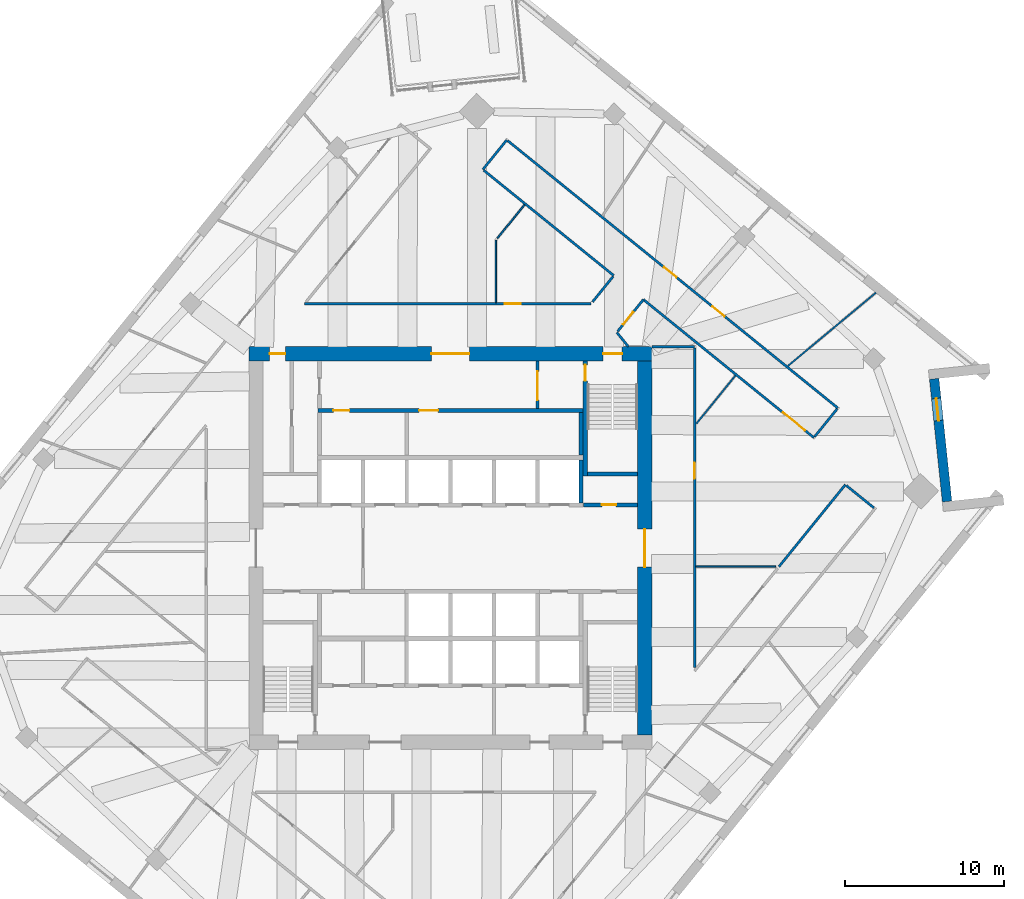
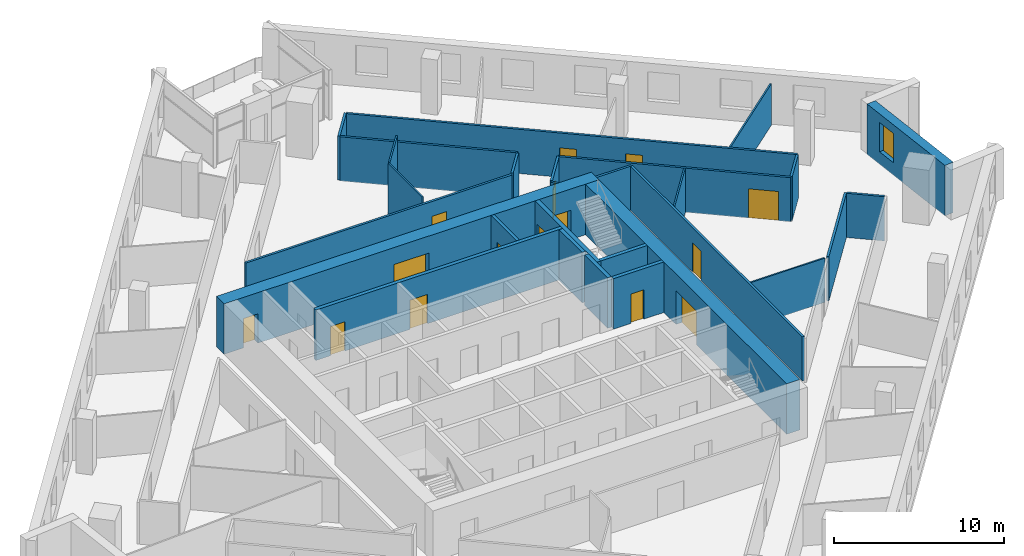
# One storey, part 11 of 14: 28 walls, 15 doors, 1 window, 16 openings.
"""IFC4 building model written with IfcOpenShell, lengths in metres."""

from ifc_helpers import new_model, si_unit, direction, frame, frame_2d, origin, place, context, subcontext, project, spatial, rectangle, extrude, material, layer, layer_set, type_object, element, fill, save


model = new_model("IFC4")

# Units and contexts
model_context = context("Model", 3, precision=1e-05, world=origin(), true_north=direction((0.0, 1.0)))
body_context = subcontext(model_context, "Body", "Model", "MODEL_VIEW")
ifc_project = project(units=[si_unit("LENGTHUNIT", "METRE"), si_unit("AREAUNIT", "SQUARE_METRE"), si_unit("VOLUMEUNIT", "CUBIC_METRE"), si_unit("PLANEANGLEUNIT", "RADIAN"), si_unit("MASSUNIT", "GRAM", prefix="KILO")], contexts=[model_context])

# Site, building, storey
site_placement = place(None, origin())
site = spatial("IfcSite", under=ifc_project, at=site_placement, CompositionType="ELEMENT")
building_placement = place(site_placement, origin())
building = spatial("IfcBuilding", under=site, at=building_placement, Name="Dilmun Exchange Tower", CompositionType="ELEMENT")
storey_placement = place(building_placement, frame((0.0, 0.0, 229.300048828125)))
storey = spatial("IfcBuildingStorey", under=building, at=storey_placement, Name="L54", CompositionType="ELEMENT", Elevation=229.300048828125)

# Wall, opening, door
ifc_material_1 = material(Name="Concrete C40/50", Category="concrete")
ifc_layer_1 = layer(ifc_material_1, 0.199951171875)
ifc_layer_set_1 = layer_set([ifc_layer_1], Name="Concrete C40/50")
wall_type_1 = type_object("IfcWallType", Name="Core partition wall 200", PredefinedType="PARTITIONING", material=ifc_layer_set_1)
wall_1_placement = place(storey_placement, frame((5.5, 8.804931640625, 0.0), z_axis=(0.0, 0.0, 1.0), x_axis=(0.0, 1.0, 0.0)))
wall_1 = element("IfcWall", 1, at=wall_1_placement, inside=storey, type_object=wall_type_1, Name="L54 core partition wall 20", PredefinedType="PARTITIONING", context=body_context, shape_type="SweptSolid", body=[
    extrude(rectangle(XDim=2.989990234375, YDim=0.199951171875, at=frame_2d((1.4951171875, 0.0))), origin(), (0.0, 0.0, 1.0), 3.619873046875),
])
opening_1_placement = place(wall_1_placement, frame((0.532470703125, 0.0, 0.0)))
opening_1 = element("IfcOpeningElement", 2, at=opening_1_placement, cuts=wall_1, Name="Opening CD5", PredefinedType="OPENING", context=body_context, shape_type="SweptSolid", body=[
    extrude(rectangle(XDim=1.800048828125, YDim=2.10009765625, at=frame_2d((0.89990234375, 1.050048828125))), frame((0.0, 0.10986328125, 0.0), z_axis=(0.0, -1.0, 0.0), x_axis=(1.0, 0.0, 0.0)), (0.0, 0.0, 1.0), 0.219970703125),
])
ifc_material_2 = material(Name="Fire-rated steel door set", Category="steel")
door_type_1 = type_object("IfcDoorType", Name="Stair exit door 1800x2100", OperationType="SINGLE_SWING_LEFT", PredefinedType="DOOR", material=ifc_material_2)
door_1_placement = place(opening_1_placement, origin())
door_1 = element("IfcDoor", 3, at=door_1_placement, inside=storey, type_object=door_type_1, Name="L54 door Core corridor east", OperationType="SINGLE_SWING_LEFT", OverallHeight=2.10009765625, OverallWidth=1.800048828125, PredefinedType="DOOR", context=body_context, shape_type="SweptSolid", body=[
    extrude(rectangle(XDim=1.800048828125, YDim=2.10009765625, at=frame_2d((0.89990234375, 1.050048828125))), frame((0.0, 0.02490234375, 0.0), z_axis=(0.0, -1.0, 0.0), x_axis=(1.0, 0.0, 0.0)), (0.0, 0.0, 1.0), 0.050048828125),
])
fill(opening_1, door_1)

ifc_layer_2 = layer(ifc_material_1, 0.25)
ifc_layer_set_2 = layer_set([ifc_layer_2], Name="Concrete C40/50")
wall_type_2 = type_object("IfcWallType", Name="Core partition wall 250", PredefinedType="PARTITIONING", material=ifc_layer_set_2)
wall_2_placement = place(storey_placement, frame((8.3798828125, 2.72509765625, 0.0), z_axis=(0.0, 0.0, 1.0), x_axis=(1.0, 0.0, 0.0)))
wall_2 = element("IfcWall", 4, at=wall_2_placement, inside=storey, type_object=wall_type_2, Name="L54 core partition wall 12", PredefinedType="PARTITIONING", context=body_context, shape_type="SweptSolid", body=[
    extrude(rectangle(XDim=3.4150390625, YDim=0.25, at=frame_2d((1.70751953125, 0.0))), origin(), (0.0, 0.0, 1.0), 3.619873046875),
])
opening_2_placement = place(wall_2_placement, frame((1.169921875, 0.0, 0.0)))
opening_2 = element("IfcOpeningElement", 5, at=opening_2_placement, cuts=wall_2, Name="Opening CD6", PredefinedType="OPENING", context=body_context, shape_type="SweptSolid", body=[
    extrude(rectangle(XDim=0.89990234375, YDim=2.10009765625, at=frame_2d((0.449951171875, 1.050048828125))), frame((0.0, 0.135009765625, 0.0), z_axis=(0.0, -1.0, 0.0), x_axis=(1.0, 0.0, 0.0)), (0.0, 0.0, 1.0), 0.27001953125),
])
door_type_2 = type_object("IfcDoorType", Name="Core room door 900x2100", OperationType="SINGLE_SWING_LEFT", PredefinedType="DOOR", material=ifc_material_2)
door_2_placement = place(opening_2_placement, origin())
door_2 = element("IfcDoor", 6, at=door_2_placement, inside=storey, type_object=door_type_2, Name="L54 door Electrical riser", OperationType="SINGLE_SWING_LEFT", OverallHeight=2.10009765625, OverallWidth=0.89990234375, PredefinedType="DOOR", context=body_context, shape_type="SweptSolid", body=[
    extrude(rectangle(XDim=0.89990234375, YDim=2.10009765625, at=frame_2d((0.449951171875, 1.050048828125))), frame((0.0, 0.02490234375, 0.0), z_axis=(0.0, -1.0, 0.0), x_axis=(1.0, 0.0, 0.0)), (0.0, 0.0, 1.0), 0.050048828125),
])
fill(opening_2, door_2)

# Wall
wall_3_placement = place(storey_placement, frame((8.25, 5.85498046875, 0.0), z_axis=(0.0, 0.0, 1.0), x_axis=(0.0, 1.0, 0.0)))
element("IfcWall", 7, at=wall_3_placement, inside=storey, type_object=wall_type_2, Name="L54 core partition wall 17", PredefinedType="PARTITIONING", context=body_context, shape_type="SweptSolid", body=[
    extrude(rectangle(XDim=2.68994140625, YDim=0.25, at=frame_2d((1.344970703125, 0.0))), origin(), (0.0, 0.0, 1.0), 3.619873046875),
])

# Wall, openings, doors
wall_4_placement = place(storey_placement, frame((-8.35009765625, 8.675048828125, 0.0), z_axis=(0.0, 0.0, 1.0), x_axis=(1.0, 0.0, 0.0)))
wall_4 = element("IfcWall", 8, at=wall_4_placement, inside=storey, type_object=wall_type_2, Name="L54 core partition wall 18", PredefinedType="PARTITIONING", context=body_context, shape_type="SweptSolid", body=[
    extrude(rectangle(XDim=16.72021484375, YDim=0.25, at=frame_2d((8.360107421875, 0.0))), origin(), (0.0, 0.0, 1.0), 3.619873046875),
])
opening_3_placement = place(wall_4_placement, frame((0.97509765625, 0.0, 0.0)))
opening_3 = element("IfcOpeningElement", 9, at=opening_3_placement, cuts=wall_4, Name="Opening CD4", PredefinedType="OPENING", context=body_context, shape_type="SweptSolid", body=[
    extrude(rectangle(XDim=1.0, YDim=2.10009765625, at=frame_2d((0.5, 1.050048828125))), frame((0.0, 0.135009765625, 0.0), z_axis=(0.0, -1.0, 0.0), x_axis=(1.0, 0.0, 0.0)), (0.0, 0.0, 1.0), 0.27001953125),
])
opening_4_placement = place(wall_4_placement, frame((6.375, 0.0, 0.0)))
opening_4 = element("IfcOpeningElement", 10, at=opening_4_placement, cuts=wall_4, Name="Opening CD3", PredefinedType="OPENING", context=body_context, shape_type="SweptSolid", body=[
    extrude(rectangle(XDim=1.199951171875, YDim=2.10009765625, at=frame_2d((0.60009765625, 1.050048828125))), frame((0.0, 0.135009765625, 0.0), z_axis=(0.0, -1.0, 0.0), x_axis=(1.0, 0.0, 0.0)), (0.0, 0.0, 1.0), 0.27001953125),
])
door_type_3 = type_object("IfcDoorType", Name="Core room door 1000x2100", OperationType="SINGLE_SWING_LEFT", PredefinedType="DOOR", material=ifc_material_2)
door_3_placement = place(opening_3_placement, origin())
door_3 = element("IfcDoor", 11, at=door_3_placement, inside=storey, type_object=door_type_3, Name="L54 door Tenant services room", OperationType="SINGLE_SWING_LEFT", OverallHeight=2.10009765625, OverallWidth=1.0, PredefinedType="DOOR", context=body_context, shape_type="SweptSolid", body=[
    extrude(rectangle(XDim=1.0, YDim=2.10009765625, at=frame_2d((0.5, 1.050048828125))), frame((0.0, 0.02490234375, 0.0), z_axis=(0.0, -1.0, 0.0), x_axis=(1.0, 0.0, 0.0)), (0.0, 0.0, 1.0), 0.050048828125),
])
fill(opening_3, door_3)
door_type_4 = type_object("IfcDoorType", Name="Stair exit door 1200x2100", OperationType="SINGLE_SWING_LEFT", PredefinedType="DOOR", material=ifc_material_2)
door_4_placement = place(opening_4_placement, origin())
door_4 = element("IfcDoor", 12, at=door_4_placement, inside=storey, type_object=door_type_4, Name="L54 door Tenant amenity store", OperationType="SINGLE_SWING_LEFT", OverallHeight=2.10009765625, OverallWidth=1.199951171875, PredefinedType="DOOR", context=body_context, shape_type="SweptSolid", body=[
    extrude(rectangle(XDim=1.199951171875, YDim=2.10009765625, at=frame_2d((0.60009765625, 1.050048828125))), frame((0.0, 0.02490234375, 0.0), z_axis=(0.0, -1.0, 0.0), x_axis=(1.0, 0.0, 0.0)), (0.0, 0.0, 1.0), 0.050048828125),
])
fill(opening_4, door_4)

ifc_material_3 = material(Name="Concrete C60/75", Category="concrete")
ifc_layer_3 = layer(ifc_material_3, 0.89990234375)
ifc_layer_set_3 = layer_set([ifc_layer_3], Name="Concrete C60/75")
wall_type_3 = type_object("IfcWallType", Name="Core shear wall 900 Concrete C60/75", PredefinedType="SHEAR", material=ifc_layer_set_3)
wall_5_placement = place(storey_placement, frame((-12.699951171875, 12.25, 0.0), z_axis=(0.0, 0.0, 1.0), x_axis=(1.0, 0.0, 0.0)))
wall_5 = element("IfcWall", 13, at=wall_5_placement, inside=storey, type_object=wall_type_3, Name="L54 core shear wall N", PredefinedType="SHEAR", context=body_context, shape_type="SweptSolid", body=[
    extrude(rectangle(XDim=25.39990234375, YDim=0.89990234375, at=frame_2d((12.699951171875, 0.0))), origin(), (0.0, 0.0, 1.0), 3.619873046875),
])
opening_5_placement = place(wall_5_placement, frame((11.5, 0.0, 0.0)))
opening_5 = element("IfcOpeningElement", 14, at=opening_5_placement, cuts=wall_5, Name="Opening CD1", PredefinedType="OPENING", context=body_context, shape_type="SweptSolid", body=[
    extrude(rectangle(XDim=2.39990234375, YDim=2.39990234375, at=frame_2d((1.199951171875, 1.199951171875))), frame((0.0, 0.4599609375, 0.0), z_axis=(0.0, -1.0, 0.0), x_axis=(1.0, 0.0, 0.0)), (0.0, 0.0, 1.0), 0.919921875),
])
opening_6_placement = place(wall_5_placement, frame((22.324951171875, 0.0, 0.0)))
opening_6 = element("IfcOpeningElement", 15, at=opening_6_placement, cuts=wall_5, Name="Opening CD3", PredefinedType="OPENING", context=body_context, shape_type="SweptSolid", body=[
    extrude(rectangle(XDim=1.199951171875, YDim=2.10009765625, at=frame_2d((0.60009765625, 1.050048828125))), frame((0.0, 0.4599609375, 0.0), z_axis=(0.0, -1.0, 0.0), x_axis=(1.0, 0.0, 0.0)), (0.0, 0.0, 1.0), 0.919921875),
])
opening_7_placement = place(wall_5_placement, frame((1.300048828125, 0.0, 0.0)))
opening_7 = element("IfcOpeningElement", 16, at=opening_7_placement, cuts=wall_5, Name="Opening CD4", PredefinedType="OPENING", context=body_context, shape_type="SweptSolid", body=[
    extrude(rectangle(XDim=1.0, YDim=2.10009765625, at=frame_2d((0.5, 1.050048828125))), frame((0.0, 0.4599609375, 0.0), z_axis=(0.0, -1.0, 0.0), x_axis=(1.0, 0.0, 0.0)), (0.0, 0.0, 1.0), 0.919921875),
])
door_type_5 = type_object("IfcDoorType", Name="Core lobby door 2400x2400", OperationType="DOUBLE_DOOR_DOUBLE_SWING", PredefinedType="DOOR", material=ifc_material_2)
door_5_placement = place(opening_5_placement, origin())
door_5 = element("IfcDoor", 17, at=door_5_placement, inside=storey, type_object=door_type_5, Name="L54 door North lift lobby", OperationType="SINGLE_SWING_LEFT", OverallHeight=2.39990234375, OverallWidth=2.39990234375, PredefinedType="DOOR", context=body_context, shape_type="SweptSolid", body=[
    extrude(rectangle(XDim=2.39990234375, YDim=2.39990234375, at=frame_2d((1.199951171875, 1.199951171875))), frame((0.0, 0.02490234375, 0.0), z_axis=(0.0, -1.0, 0.0), x_axis=(1.0, 0.0, 0.0)), (0.0, 0.0, 1.0), 0.050048828125),
])
fill(opening_5, door_5)
door_6_placement = place(opening_7_placement, origin())
door_6 = element("IfcDoor", 18, at=door_6_placement, inside=storey, type_object=door_type_3, Name="L54 door North-west core rooms", OperationType="SINGLE_SWING_LEFT", OverallHeight=2.10009765625, OverallWidth=1.0, PredefinedType="DOOR", context=body_context, shape_type="SweptSolid", body=[
    extrude(rectangle(XDim=1.0, YDim=2.10009765625, at=frame_2d((0.5, 1.050048828125))), frame((0.0, 0.02490234375, 0.0), z_axis=(0.0, -1.0, 0.0), x_axis=(1.0, 0.0, 0.0)), (0.0, 0.0, 1.0), 0.050048828125),
])
fill(opening_7, door_6)
door_7_placement = place(opening_6_placement, origin())
door_7 = element("IfcDoor", 19, at=door_7_placement, inside=storey, type_object=door_type_4, Name="L54 door Stair ST1", OperationType="SINGLE_SWING_LEFT", OverallHeight=2.10009765625, OverallWidth=1.199951171875, PredefinedType="DOOR", context=body_context, shape_type="SweptSolid", body=[
    extrude(rectangle(XDim=1.199951171875, YDim=2.10009765625, at=frame_2d((0.60009765625, 1.050048828125))), frame((0.0, 0.02490234375, 0.0), z_axis=(0.0, -1.0, 0.0), x_axis=(1.0, 0.0, 0.0)), (0.0, 0.0, 1.0), 0.050048828125),
])
fill(opening_6, door_7)

# Wall, opening, door
wall_6_placement = place(storey_placement, frame((12.25, -11.800048828125, 0.0), z_axis=(0.0, 0.0, 1.0), x_axis=(0.0, 1.0, 0.0)))
wall_6 = element("IfcWall", 20, at=wall_6_placement, inside=storey, type_object=wall_type_3, Name="L54 core shear wall E", PredefinedType="SHEAR", context=body_context, shape_type="SweptSolid", body=[
    extrude(rectangle(XDim=23.60009765625, YDim=0.89990234375, at=frame_2d((11.800048828125, 0.0))), origin(), (0.0, 0.0, 1.0), 3.619873046875),
])
opening_8_placement = place(wall_6_placement, frame((10.60009765625, 0.0, 0.0)))
opening_8 = element("IfcOpeningElement", 21, at=opening_8_placement, cuts=wall_6, Name="Opening CD1", PredefinedType="OPENING", context=body_context, shape_type="SweptSolid", body=[
    extrude(rectangle(XDim=2.39990234375, YDim=2.39990234375, at=frame_2d((1.199951171875, 1.199951171875))), frame((0.0, 0.4599609375, 0.0), z_axis=(0.0, -1.0, 0.0), x_axis=(1.0, 0.0, 0.0)), (0.0, 0.0, 1.0), 0.919921875),
])
door_8_placement = place(opening_8_placement, origin())
door_8 = element("IfcDoor", 22, at=door_8_placement, inside=storey, type_object=door_type_5, Name="L54 door Central lift lobby", OperationType="SINGLE_SWING_LEFT", OverallHeight=2.39990234375, OverallWidth=2.39990234375, PredefinedType="DOOR", context=body_context, shape_type="SweptSolid", body=[
    extrude(rectangle(XDim=2.39990234375, YDim=2.39990234375, at=frame_2d((1.199951171875, 1.199951171875))), frame((0.0, 0.02490234375, 0.0), z_axis=(0.0, -1.0, 0.0), x_axis=(1.0, 0.0, 0.0)), (0.0, 0.0, 1.0), 0.050048828125),
])
fill(opening_8, door_8)

ifc_material_4 = material(Name="Corridor wall 150")
ifc_layer_4 = layer(ifc_material_4, 0.14990234375)
ifc_layer_set_4 = layer_set([ifc_layer_4], Name="Corridor wall 150")
wall_type_4 = type_object("IfcWallType", Name="Corridor wall 150", PredefinedType="PARTITIONING", material=ifc_layer_set_4)
wall_7_placement = place(storey_placement, frame((-9.196044921875, 15.39990234375, 0.0), z_axis=(0.0, 0.0, 1.0), x_axis=(1.0, 0.0, 0.0)))
wall_7 = element("IfcWall", 23, at=wall_7_placement, inside=storey, type_object=wall_type_4, Name="Corridor wall", PredefinedType="PARTITIONING", context=body_context, shape_type="SweptSolid", body=[
    extrude(rectangle(XDim=18.06005859375, YDim=0.14990234375, at=frame_2d((9.030029296875, 0.0))), origin(), (0.0, 0.0, 1.0), 3.169921875),
])
opening_9_placement = place(wall_7_placement, frame((12.620849609375, 0.0, 0.0)))
opening_9 = element("IfcOpeningElement", 24, at=opening_9_placement, cuts=wall_7, Name="Opening TF53-D15", PredefinedType="OPENING", context=body_context, shape_type="SweptSolid", body=[
    extrude(rectangle(XDim=1.0, YDim=2.10009765625, at=frame_2d((0.5, 1.050048828125))), frame((0.0, 0.0849609375, 0.0), z_axis=(0.0, -1.0, 0.0), x_axis=(1.0, 0.0, 0.0)), (0.0, 0.0, 1.0), 0.169921875),
])
ifc_material_5 = material(Name="Fire door 1000 x 2100")
door_type_6 = type_object("IfcDoorType", Name="Fire door 1000 x 2100", OperationType="NOTDEFINED", PredefinedType="DOOR", material=ifc_material_5)
door_9_placement = place(opening_9_placement, origin())
door_9 = element("IfcDoor", 25, at=door_9_placement, inside=storey, type_object=door_type_6, Name="Door TF53-D15", OperationType="SINGLE_SWING_LEFT", OverallHeight=2.10009765625, OverallWidth=1.0, PredefinedType="DOOR", context=body_context, shape_type="SweptSolid", body=[
    extrude(rectangle(XDim=1.0, YDim=2.10009765625, at=frame_2d((0.5, 1.050048828125))), frame((0.0, 0.02490234375, 0.0), z_axis=(0.0, -1.0, 0.0), x_axis=(1.0, 0.0, 0.0)), (0.0, 0.0, 1.0), 0.050048828125),
])
fill(opening_9, door_9)

# Walls
wall_8_placement = place(storey_placement, frame((2.047119140625, 23.868896484375, 0.0), z_axis=(0.0, 0.0, 1.0), x_axis=(0.62925964887, 0.777195145574, 0.0)))
element("IfcWall", 26, at=wall_8_placement, inside=storey, type_object=wall_type_4, Name="Corridor wall", PredefinedType="PARTITIONING", context=body_context, shape_type="SweptSolid", body=[
    extrude(rectangle(XDim=2.401123046875, YDim=0.14990234375, at=frame_2d((1.20068359375, 0.0))), origin(), (0.0, 0.0, 1.0), 3.169921875),
])
wall_9_placement = place(storey_placement, frame((2.105224609375, 23.82177734375, 0.0), z_axis=(0.0, 0.0, 1.0), x_axis=(0.777178600468, -0.62928008309, 0.0)))
element("IfcWall", 27, at=wall_9_placement, inside=storey, type_object=wall_type_4, Name="Corridor wall", PredefinedType="PARTITIONING", context=body_context, shape_type="SweptSolid", body=[
    extrude(rectangle(XDim=10.55322265625, YDim=0.14990234375, at=frame_2d((5.276611328125, 0.0))), origin(), (0.0, 0.0, 1.0), 3.169921875),
])

# Wall, openings, doors
wall_10_placement = place(storey_placement, frame((3.6162109375, 25.687744140625, 0.0), z_axis=(0.0, 0.0, 1.0), x_axis=(0.777137029952, -0.62933142038, 0.0)))
wall_10 = element("IfcWall", 28, at=wall_10_placement, inside=storey, type_object=wall_type_4, Name="Corridor wall", PredefinedType="PARTITIONING", context=body_context, shape_type="SweptSolid", body=[
    extrude(rectangle(XDim=26.78515625, YDim=0.14990234375, at=frame_2d((13.392578125, 0.0))), origin(), (0.0, 0.0, 1.0), 3.169921875),
])
opening_10_placement = place(wall_10_placement, frame((12.68212890625, 0.0, 0.0)))
opening_10 = element("IfcOpeningElement", 29, at=opening_10_placement, cuts=wall_10, Name="Opening TF53-D18", PredefinedType="OPENING", context=body_context, shape_type="SweptSolid", body=[
    extrude(rectangle(XDim=1.0, YDim=2.10009765625, at=frame_2d((0.5, 1.050048828125))), frame((0.0, 0.0849609375, 0.0), z_axis=(0.0, -1.0, 0.0), x_axis=(1.0, 0.0, 0.0)), (0.0, 0.0, 1.0), 0.169921875),
])
opening_11_placement = place(wall_10_placement, frame((16.596923828125, 0.0, 0.0)))
opening_11 = element("IfcOpeningElement", 30, at=opening_11_placement, cuts=wall_10, Name="Opening TF53-D22", PredefinedType="OPENING", context=body_context, shape_type="SweptSolid", body=[
    extrude(rectangle(XDim=1.0, YDim=2.10009765625, at=frame_2d((0.5, 1.050048828125))), frame((0.0, 0.0849609375, 0.0), z_axis=(0.0, -1.0, 0.0), x_axis=(1.0, 0.0, 0.0)), (0.0, 0.0, 1.0), 0.169921875),
])
door_10_placement = place(opening_10_placement, origin())
door_10 = element("IfcDoor", 31, at=door_10_placement, inside=storey, type_object=door_type_6, Name="Door TF53-D18", OperationType="SINGLE_SWING_LEFT", OverallHeight=2.10009765625, OverallWidth=1.0, PredefinedType="DOOR", context=body_context, shape_type="SweptSolid", body=[
    extrude(rectangle(XDim=1.0, YDim=2.10009765625, at=frame_2d((0.5, 1.050048828125))), frame((0.0, 0.02490234375, 0.0), z_axis=(0.0, -1.0, 0.0), x_axis=(1.0, 0.0, 0.0)), (0.0, 0.0, 1.0), 0.050048828125),
])
fill(opening_10, door_10)
door_11_placement = place(opening_11_placement, origin())
door_11 = element("IfcDoor", 32, at=door_11_placement, inside=storey, type_object=door_type_6, Name="Door TF53-D22", OperationType="SINGLE_SWING_RIGHT", OverallHeight=2.10009765625, OverallWidth=1.0, PredefinedType="DOOR", context=body_context, shape_type="SweptSolid", body=[
    extrude(rectangle(XDim=1.0, YDim=2.10009765625, at=frame_2d((0.5, 1.050048828125))), frame((0.0, 0.02490234375, 0.0), z_axis=(0.0, -1.0, 0.0), x_axis=(1.0, 0.0, 0.0)), (0.0, 0.0, 1.0), 0.050048828125),
])
fill(opening_11, door_11)

# Walls
wall_11_placement = place(storey_placement, frame((8.962890625, 15.522216796875, 0.0), z_axis=(0.0, 0.0, 1.0), x_axis=(0.629539094885, 0.776968807618, 0.0)))
element("IfcWall", 33, at=wall_11_placement, inside=storey, type_object=wall_type_4, Name="Corridor wall", PredefinedType="PARTITIONING", context=body_context, shape_type="SweptSolid", body=[
    extrude(rectangle(XDim=2.06005859375, YDim=0.14990234375, at=frame_2d((1.030029296875, 0.0))), origin(), (0.0, 0.0, 1.0), 3.169921875),
])
wall_12_placement = place(storey_placement, frame((10.4951171875, 13.60009765625, 0.0), z_axis=(0.0, 0.0, 1.0), x_axis=(0.629870659229, -0.776700040326, 0.0)))
element("IfcWall", 34, at=wall_12_placement, inside=storey, type_object=wall_type_4, Name="Corridor wall", PredefinedType="PARTITIONING", context=body_context, shape_type="SweptSolid", body=[
    extrude(rectangle(XDim=1.158935546875, YDim=0.14990234375, at=frame_2d((0.57958984375, 0.0))), origin(), (0.0, 0.0, 1.0), 3.169921875),
])

# Wall, opening, door
wall_13_placement = place(storey_placement, frame((10.55322265625, 13.671875, 0.0), z_axis=(0.0, 0.0, 1.0), x_axis=(0.629534094475, 0.776972859174, 0.0)))
wall_13 = element("IfcWall", 35, at=wall_13_placement, inside=storey, type_object=wall_type_4, Name="Corridor wall", PredefinedType="PARTITIONING", context=body_context, shape_type="SweptSolid", body=[
    extrude(rectangle(XDim=2.571533203125, YDim=0.14990234375, at=frame_2d((1.28564453125, 0.0))), origin(), (0.0, 0.0, 1.0), 3.169921875),
])
opening_12_placement = place(wall_13_placement, frame((0.550048828125, 0.0, 0.0)))
opening_12 = element("IfcOpeningElement", 36, at=opening_12_placement, cuts=wall_13, Name="Opening TF53-D17", PredefinedType="OPENING", context=body_context, shape_type="SweptSolid", body=[
    extrude(rectangle(XDim=1.0, YDim=2.10009765625, at=frame_2d((0.5, 1.050048828125))), frame((0.0, 0.0849609375, 0.0), z_axis=(0.0, -1.0, 0.0), x_axis=(1.0, 0.0, 0.0)), (0.0, 0.0, 1.0), 0.169921875),
])
door_12_placement = place(opening_12_placement, frame((1.0, 0.0, 0.0), z_axis=(0.0, 0.0, 1.0), x_axis=(-1.0, 0.0, 0.0)))
door_12 = element("IfcDoor", 37, at=door_12_placement, inside=storey, type_object=door_type_6, Name="Door TF53-D17", OperationType="SINGLE_SWING_LEFT", OverallHeight=2.10009765625, OverallWidth=1.0, PredefinedType="DOOR", context=body_context, shape_type="SweptSolid", body=[
    extrude(rectangle(XDim=1.0, YDim=2.10009765625, at=frame_2d((0.5, 1.050048828125))), frame((0.0, 0.02490234375, 0.0), z_axis=(0.0, -1.0, 0.0), x_axis=(1.0, 0.0, 0.0)), (0.0, 0.0, 1.0), 0.050048828125),
])
fill(opening_12, door_12)

wall_14_placement = place(storey_placement, frame((12.172119140625, 15.6708984375, 0.0), z_axis=(0.0, 0.0, 1.0), x_axis=(0.777123609621, -0.629347992266, 0.0)))
wall_14 = element("IfcWall", 38, at=wall_14_placement, inside=storey, type_object=wall_type_4, Name="Corridor wall", PredefinedType="PARTITIONING", context=body_context, shape_type="SweptSolid", body=[
    extrude(rectangle(XDim=13.8330078125, YDim=0.14990234375, at=frame_2d((6.91650390625, 0.0))), origin(), (0.0, 0.0, 1.0), 3.169921875),
])
opening_13_placement = place(wall_14_placement, frame((11.32373046875, 0.0, 0.0)))
opening_13 = element("IfcOpeningElement", 39, at=opening_13_placement, cuts=wall_14, Name="Opening TF53-D23", PredefinedType="OPENING", context=body_context, shape_type="SweptSolid", body=[
    extrude(rectangle(XDim=1.800048828125, YDim=2.10009765625, at=frame_2d((0.89990234375, 1.050048828125))), frame((0.0, 0.0849609375, 0.0), z_axis=(0.0, -1.0, 0.0), x_axis=(1.0, 0.0, 0.0)), (0.0, 0.0, 1.0), 0.169921875),
])
ifc_material_6 = material(Name="Fire door pair 1800 x 2100")
door_type_7 = type_object("IfcDoorType", Name="Fire door pair 1800 x 2100", OperationType="NOTDEFINED", PredefinedType="DOOR", material=ifc_material_6)
door_13_placement = place(opening_13_placement, frame((1.800048828125, 0.0, 0.0), z_axis=(0.0, 0.0, 1.0), x_axis=(-1.0, 0.0, 0.0)))
door_13 = element("IfcDoor", 40, at=door_13_placement, inside=storey, type_object=door_type_7, Name="Door TF53-D23", OperationType="DOUBLE_DOOR_SINGLE_SWING", OverallHeight=2.10009765625, OverallWidth=1.800048828125, PredefinedType="DOOR", context=body_context, shape_type="SweptSolid", body=[
    extrude(rectangle(XDim=1.800048828125, YDim=2.10009765625, at=frame_2d((0.89990234375, 1.050048828125))), frame((0.0, 0.02490234375, 0.0), z_axis=(0.0, -1.0, 0.0), x_axis=(1.0, 0.0, 0.0)), (0.0, 0.0, 1.0), 0.050048828125),
])
fill(opening_13, door_13)

# Wall
wall_15_placement = place(storey_placement, frame((12.699951171875, 12.699951171875, 0.0), z_axis=(0.0, 0.0, 1.0), x_axis=(1.0, 0.0, 0.0)))
element("IfcWall", 41, at=wall_15_placement, inside=storey, type_object=wall_type_4, Name="Corridor wall", PredefinedType="PARTITIONING", context=body_context, shape_type="SweptSolid", body=[
    extrude(rectangle(XDim=2.699951171875, YDim=0.14990234375, at=frame_2d((1.35009765625, 0.0))), origin(), (0.0, 0.0, 1.0), 3.169921875),
])

# Wall, opening, door
wall_16_placement = place(storey_placement, frame((15.39990234375, -7.527099609375, 0.0), z_axis=(0.0, 0.0, 1.0), x_axis=(0.0, 1.0, 0.0)))
wall_16 = element("IfcWall", 42, at=wall_16_placement, inside=storey, type_object=wall_type_4, Name="Corridor wall", PredefinedType="PARTITIONING", context=body_context, shape_type="SweptSolid", body=[
    extrude(rectangle(XDim=20.152099609375, YDim=0.14990234375, at=frame_2d((10.076171875, 0.0))), origin(), (0.0, 0.0, 1.0), 3.169921875),
])
opening_14_placement = place(wall_16_placement, frame((11.908447265625, 0.0, 0.0)))
opening_14 = element("IfcOpeningElement", 43, at=opening_14_placement, cuts=wall_16, Name="Opening TF53-D24", PredefinedType="OPENING", context=body_context, shape_type="SweptSolid", body=[
    extrude(rectangle(XDim=1.0, YDim=2.10009765625, at=frame_2d((0.5, 1.050048828125))), frame((0.0, 0.0849609375, 0.0), z_axis=(0.0, -1.0, 0.0), x_axis=(1.0, 0.0, 0.0)), (0.0, 0.0, 1.0), 0.169921875),
])
door_14_placement = place(opening_14_placement, frame((1.0, 0.0, 0.0), z_axis=(0.0, 0.0, 1.0), x_axis=(-1.0, 0.0, 0.0)))
door_14 = element("IfcDoor", 44, at=door_14_placement, inside=storey, type_object=door_type_6, Name="Door TF53-D24", OperationType="SINGLE_SWING_RIGHT", OverallHeight=2.10009765625, OverallWidth=1.0, PredefinedType="DOOR", context=body_context, shape_type="SweptSolid", body=[
    extrude(rectangle(XDim=1.0, YDim=2.10009765625, at=frame_2d((0.5, 1.050048828125))), frame((0.0, 0.02490234375, 0.0), z_axis=(0.0, -1.0, 0.0), x_axis=(1.0, 0.0, 0.0)), (0.0, 0.0, 1.0), 0.050048828125),
])
fill(opening_14, door_14)

# Walls
wall_17_placement = place(storey_placement, frame((20.720947265625, -1.1689453125, 0.0), z_axis=(0.0, 0.0, 1.0), x_axis=(0.629297540066, 0.777164465262, 0.0)))
element("IfcWall", 45, at=wall_17_placement, inside=storey, type_object=wall_type_4, Name="Corridor wall", PredefinedType="PARTITIONING", context=body_context, shape_type="SweptSolid", body=[
    extrude(rectangle(XDim=6.647216796875, YDim=0.14990234375, at=frame_2d((3.32373046875, 0.0))), origin(), (0.0, 0.0, 1.0), 3.169921875),
])
wall_18_placement = place(storey_placement, frame((22.96923828125, 7.023193359375, 0.0), z_axis=(0.0, 0.0, 1.0), x_axis=(0.628998475829, 0.777406532906, 0.0)))
element("IfcWall", 46, at=wall_18_placement, inside=storey, type_object=wall_type_4, Name="Corridor wall", PredefinedType="PARTITIONING", context=body_context, shape_type="SweptSolid", body=[
    extrude(rectangle(XDim=2.25048828125, YDim=0.14990234375, at=frame_2d((1.125244140625, 0.0))), origin(), (0.0, 0.0, 1.0), 3.169921875),
])
wall_19_placement = place(storey_placement, frame((24.96240234375, 3.94970703125, 0.0), z_axis=(0.0, 0.0, 1.0), x_axis=(0.777191791734, -0.629263791157, 0.0)))
element("IfcWall", 47, at=wall_19_placement, inside=storey, type_object=wall_type_4, Name="Corridor wall", PredefinedType="PARTITIONING", context=body_context, shape_type="SweptSolid", body=[
    extrude(rectangle(XDim=2.24951171875, YDim=0.14990234375, at=frame_2d((1.124755859375, 0.0))), origin(), (0.0, 0.0, 1.0), 3.169921875),
])
ifc_layer_5 = layer(ifc_material_1, 0.25)
ifc_layer_set_5 = layer_set([ifc_layer_5], Name="Concrete C40/50")
wall_type_5 = type_object("IfcWallType", Name="Lift shaft wall 250", PredefinedType="SOLIDWALL", material=ifc_layer_set_5)
wall_20_placement = place(storey_placement, frame((8.25, 2.85009765625, 0.0), z_axis=(0.0, 0.0, 1.0), x_axis=(0.0, 1.0, 0.0)))
element("IfcWall", 48, at=wall_20_placement, inside=storey, type_object=wall_type_5, Name="L54 lift shaft divider N16", PredefinedType="SOLIDWALL", context=body_context, shape_type="SweptSolid", body=[
    extrude(rectangle(XDim=2.699951171875, YDim=0.25, at=frame_2d((1.35009765625, 0.0))), origin(), (0.0, 0.0, 1.0), 3.619873046875),
])
ifc_material_7 = material(Name="Partition 100")
ifc_layer_6 = layer(ifc_material_7, 0.10009765625)
ifc_layer_set_6 = layer_set([ifc_layer_6], Name="Partition 100")
wall_type_6 = type_object("IfcWallType", Name="Partition 100", PredefinedType="PARTITIONING", material=ifc_layer_set_6)
wall_21_placement = place(storey_placement, frame((2.875, 15.47509765625, 0.0), z_axis=(0.0, 0.0, 1.0), x_axis=(0.0, 1.0, 0.0)))
element("IfcWall", 49, at=wall_21_placement, inside=storey, type_object=wall_type_6, Name="Partition", PredefinedType="PARTITIONING", context=body_context, shape_type="SweptSolid", body=[
    extrude(rectangle(XDim=3.948974609375, YDim=0.10009765625, at=frame_2d((1.974609375, 0.0))), origin(), (0.0, 0.0, 1.0), 3.619873046875),
])
wall_22_placement = place(storey_placement, frame((2.9638671875, 19.53369140625, 0.0), z_axis=(0.0, 0.0, 1.0), x_axis=(0.629242163311, 0.777209302513, 0.0)))
element("IfcWall", 50, at=wall_22_placement, inside=storey, type_object=wall_type_6, Name="Partition", PredefinedType="PARTITIONING", context=body_context, shape_type="SweptSolid", body=[
    extrude(rectangle(XDim=2.717529296875, YDim=0.10009765625, at=frame_2d((1.35888671875, 0.0))), origin(), (0.0, 0.0, 1.0), 3.619873046875),
])
wall_23_placement = place(storey_placement, frame((15.47509765625, -1.1689453125, 0.0), z_axis=(0.0, 0.0, 1.0), x_axis=(1.0, 0.0, 0.0)))
element("IfcWall", 51, at=wall_23_placement, inside=storey, type_object=wall_type_6, Name="Partition", PredefinedType="PARTITIONING", context=body_context, shape_type="SweptSolid", body=[
    extrude(rectangle(XDim=5.02685546875, YDim=0.10009765625, at=frame_2d((2.513427734375, 0.0))), origin(), (0.0, 0.0, 1.0), 3.169921875),
])
wall_24_placement = place(storey_placement, frame((15.513916015625, 7.842529296875, 0.0), z_axis=(0.0, 0.0, 1.0), x_axis=(0.629311514858, 0.777153149172, 0.0)))
element("IfcWall", 52, at=wall_24_placement, inside=storey, type_object=wall_type_6, Name="Partition", PredefinedType="PARTITIONING", context=body_context, shape_type="SweptSolid", body=[
    extrude(rectangle(XDim=3.905517578125, YDim=0.10009765625, at=frame_2d((1.95263671875, 0.0))), origin(), (0.0, 0.0, 1.0), 3.169921875),
])
wall_25_placement = place(storey_placement, frame((21.286376953125, 11.4873046875, 0.0), z_axis=(0.0, 0.0, 1.0), x_axis=(0.768459840101, 0.639898018556, 0.0)))
element("IfcWall", 53, at=wall_25_placement, inside=storey, type_object=wall_type_6, Name="Partition", PredefinedType="PARTITIONING", context=body_context, shape_type="SweptSolid", body=[
    extrude(rectangle(XDim=7.21240234375, YDim=0.10009765625, at=frame_2d((3.606201171875, 0.0))), origin(), (0.0, 0.0, 1.0), 2.969970703125),
])

# Wall, opening, window
ifc_material_8 = material(Name="Precast concrete C50/60", Category="concrete")
ifc_layer_7 = layer(ifc_material_8, 0.60009765625)
ifc_layer_set_7 = layer_set([ifc_layer_7], Name="Precast concrete C50/60")
wall_type_7 = type_object("IfcWallType", Name="Precast stone-clad wall 600", PredefinedType="STANDARD", material=ifc_layer_set_7)
wall_26_placement = place(storey_placement, frame((31.320068359375, 2.936279296875, 0.0), z_axis=(0.0, 0.0, 1.0), x_axis=(-0.104552439276, 0.994519375096, 0.0)))
wall_26 = element("IfcWall", 54, at=wall_26_placement, inside=storey, type_object=wall_type_7, Name="Facade wall L54-13", PredefinedType="STANDARD", context=body_context, shape_type="SweptSolid", body=[
    extrude(rectangle(XDim=7.7783203125, YDim=0.60009765625, at=frame_2d((3.88916015625, 0.0))), origin(), (0.0, 0.0, 1.0), 3.619873046875),
])
opening_15_placement = place(wall_26_placement, frame((5.133544921875, 0.0, 0.89990234375)))
opening_15 = element("IfcOpeningElement", 55, at=opening_15_placement, cuts=wall_26, Name="Opening W140-210", PredefinedType="OPENING", context=body_context, shape_type="SweptSolid", body=[
    extrude(rectangle(XDim=1.39990234375, YDim=2.10009765625, at=frame_2d((0.699951171875, 1.050048828125))), frame((0.0, 0.31005859375, 0.0), z_axis=(0.0, -1.0, 0.0), x_axis=(1.0, 0.0, 0.0)), (0.0, 0.0, 1.0), 0.6201171875),
])
ifc_material_9 = material(Name="Clear low-emissivity glass in aluminium frame", Category="aluminium")
window_type = type_object("IfcWindowType", Name="Punched window 1400 x 2100", PartitioningType="DOUBLE_PANEL_VERTICAL", PredefinedType="WINDOW", material=ifc_material_9)
window_placement = place(opening_15_placement, origin())
window = element("IfcWindow", 56, at=window_placement, inside=storey, type_object=window_type, Name="Window 14.2", OverallHeight=2.10009765625, OverallWidth=1.39990234375, PartitioningType="SINGLE_PANEL", PredefinedType="WINDOW", context=body_context, shape_type="SweptSolid", body=[
    extrude(rectangle(XDim=1.39990234375, YDim=2.10009765625, at=frame_2d((0.699951171875, 1.050048828125))), frame((0.0, 0.030029296875, 0.0), z_axis=(0.0, -1.0, 0.0), x_axis=(1.0, 0.0, 0.0)), (0.0, 0.0, 1.0), 0.06005859375),
])
fill(opening_15, window)

# Wall
ifc_layer_8 = layer(ifc_material_1, 0.25)
ifc_layer_set_8 = layer_set([ifc_layer_8], Name="Concrete C40/50")
wall_type_8 = type_object("IfcWallType", Name="Stair end wall 250", PredefinedType="SOLIDWALL", material=ifc_layer_set_8)
wall_27_placement = place(storey_placement, frame((8.64990234375, 4.675048828125, 0.0), z_axis=(0.0, 0.0, 1.0), x_axis=(1.0, 0.0, 0.0)))
element("IfcWall", 57, at=wall_27_placement, inside=storey, type_object=wall_type_8, Name="L54 ST1 far wall", PredefinedType="SOLIDWALL", context=body_context, shape_type="SweptSolid", body=[
    extrude(rectangle(XDim=3.150146484375, YDim=0.25, at=frame_2d((1.5751953125, 0.0))), origin(), (0.0, 0.0, 1.0), 3.619873046875),
])

# Wall, opening, door
ifc_layer_9 = layer(ifc_material_1, 0.27490234375)
ifc_layer_set_9 = layer_set([ifc_layer_9], Name="Concrete C40/50")
wall_type_9 = type_object("IfcWallType", Name="Stair wall 275", PredefinedType="SOLIDWALL", material=ifc_layer_set_9)
wall_28_placement = place(storey_placement, frame((8.512451171875, 4.550048828125, 0.0), z_axis=(0.0, 0.0, 1.0), x_axis=(0.0, 1.0, 0.0)))
wall_28 = element("IfcWall", 58, at=wall_28_placement, inside=storey, type_object=wall_type_9, Name="L54 ST1 wall to lift block", PredefinedType="SOLIDWALL", context=body_context, shape_type="SweptSolid", body=[
    extrude(rectangle(XDim=7.25, YDim=0.27490234375, at=frame_2d((3.625, 0.0))), origin(), (0.0, 0.0, 1.0), 3.619873046875),
])
opening_16_placement = place(wall_28_placement, frame((6.0, 0.0, 0.0)))
opening_16 = element("IfcOpeningElement", 59, at=opening_16_placement, cuts=wall_28, Name="Opening CD4", PredefinedType="OPENING", context=body_context, shape_type="SweptSolid", body=[
    extrude(rectangle(XDim=1.0, YDim=2.10009765625, at=frame_2d((0.5, 1.050048828125))), frame((0.0, 0.1474609375, 0.0), z_axis=(0.0, -1.0, 0.0), x_axis=(1.0, 0.0, 0.0)), (0.0, 0.0, 1.0), 0.294921875),
])
door_15_placement = place(opening_16_placement, origin())
door_15 = element("IfcDoor", 60, at=door_15_placement, inside=storey, type_object=door_type_3, Name="L54 door ST1 from lobby", OperationType="SINGLE_SWING_LEFT", OverallHeight=2.10009765625, OverallWidth=1.0, PredefinedType="DOOR", context=body_context, shape_type="SweptSolid", body=[
    extrude(rectangle(XDim=1.0, YDim=2.10009765625, at=frame_2d((0.5, 1.050048828125))), frame((0.0, 0.02490234375, 0.0), z_axis=(0.0, -1.0, 0.0), x_axis=(1.0, 0.0, 0.0)), (0.0, 0.0, 1.0), 0.050048828125),
])
fill(opening_16, door_15)

save(model, "model.ifc")
